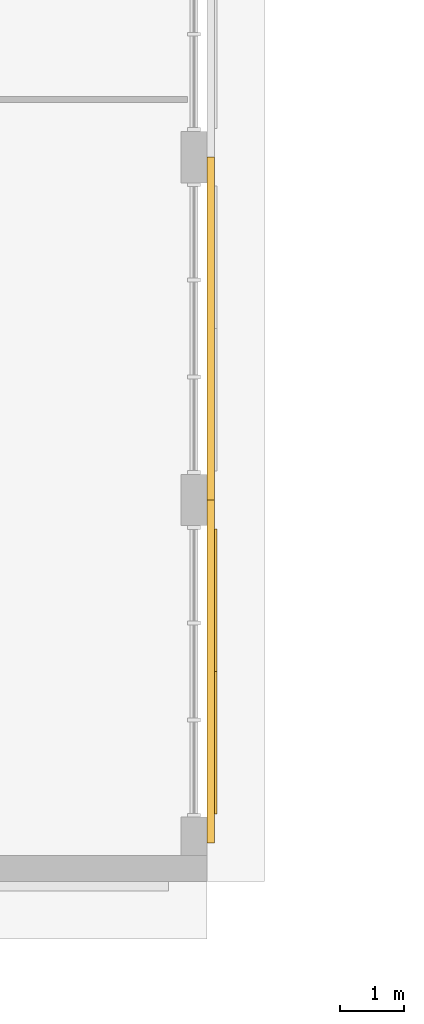
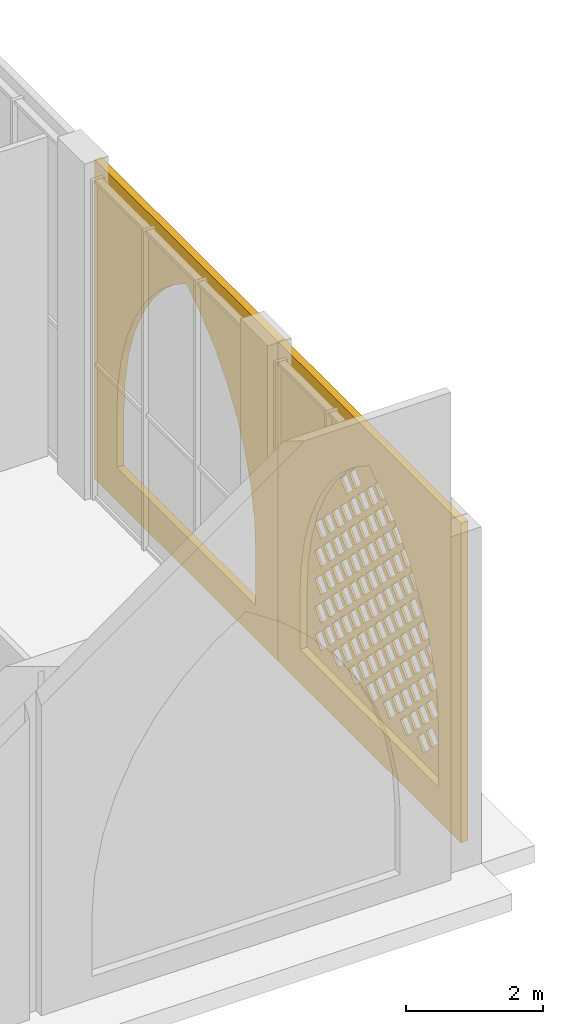
# One storey, part 34 of 74: 3 coverings.
"""IFC4 building model written with IfcOpenShell, lengths in metres."""

from ifc_helpers import new_model, si_unit, direction, frame, origin, place, context, subcontext, project, spatial, polyline, outline, extrude, material, layer, layer_set, type_object, element, save


model = new_model("IFC4")

# Units and contexts
model_context = context("Model", 3, precision=1e-05, world=origin(), true_north=direction((0.0, 1.0)))
body_context = subcontext(model_context, "Body", "Model", "MODEL_VIEW")
ifc_project = project(units=[si_unit("LENGTHUNIT", "METRE"), si_unit("AREAUNIT", "SQUARE_METRE"), si_unit("VOLUMEUNIT", "CUBIC_METRE"), si_unit("PLANEANGLEUNIT", "RADIAN"), si_unit("MASSUNIT", "GRAM", prefix="KILO")], contexts=[model_context])

# Site, building, storey
site_placement = place(None, origin())
site = spatial("IfcSite", under=ifc_project, at=site_placement, CompositionType="ELEMENT")
building_placement = place(site_placement, origin())
building = spatial("IfcBuilding", under=site, at=building_placement, Name="Noorbagh Ring Tower", CompositionType="ELEMENT")
storey_placement = place(building_placement, frame((0.0, 0.0, 13.5)))
storey = spatial("IfcBuildingStorey", under=building, at=storey_placement, Name="L02", CompositionType="ELEMENT", Elevation=13.5)

# Coverings
ifc_material_1 = material(Name="Red sandstone jali", Category="masonry")
ifc_layer_1 = layer(ifc_material_1, 0.0400390625)
ifc_layer_set_1 = layer_set([ifc_layer_1], Name="Red sandstone jali")
covering_type_1 = type_object("IfcCoveringType", Name="STH-JALI", PredefinedType="USERDEFINED", material=ifc_layer_set_1)
covering_1_placement = place(storey_placement, frame((-94.840087890625, -19.949951171875, 0.39990234375), z_axis=(1.0, 0.0, 0.0), x_axis=(0.0, 1.0, 0.0)))
element("IfcCovering", 1, at=covering_1_placement, inside=storey, type_object=covering_type_1, Name="Jali screen", ObjectType="SCREEN", PredefinedType="USERDEFINED", context=body_context, shape_type="SweptSolid", body=[
    extrude(outline(polyline([(0.0, 0.0), (4.449951171875, 0.0), (4.449951171875, 1.0), (4.411865234375, 1.580810546875), (4.29833984375, 2.15185546875), (4.111328125, 2.702880859375), (3.853759765625, 3.22509765625), (3.5302734375, 3.708984375), (3.146484375, 4.146728515625), (2.708984375, 4.530517578125), (2.224853515625, 4.85400390625), (1.740966796875, 4.530517578125), (1.303466796875, 4.146728515625), (0.91943359375, 3.708984375), (0.59619140625, 3.22509765625), (0.338623046875, 2.702880859375), (0.151611328125, 2.15185546875), (0.0380859375, 1.580810546875), (0.0, 1.0), (0.0, 0.0)]), holes=[polyline([(0.669921875, 0.552001953125), (0.85009765625, 0.371826171875), (1.030029296875, 0.552001953125), (0.85009765625, 0.73193359375), (0.669921875, 0.552001953125)]), polyline([(1.169921875, 0.552001953125), (1.35009765625, 0.371826171875), (1.530029296875, 0.552001953125), (1.35009765625, 0.73193359375), (1.169921875, 0.552001953125)]), polyline([(1.669921875, 0.552001953125), (1.85009765625, 0.371826171875), (2.030029296875, 0.552001953125), (1.85009765625, 0.73193359375), (1.669921875, 0.552001953125)]), polyline([(2.169921875, 0.552001953125), (2.35009765625, 0.371826171875), (2.530029296875, 0.552001953125), (2.35009765625, 0.73193359375), (2.169921875, 0.552001953125)]), polyline([(2.669921875, 0.552001953125), (2.85009765625, 0.371826171875), (3.030029296875, 0.552001953125), (2.85009765625, 0.73193359375), (2.669921875, 0.552001953125)]), polyline([(3.169921875, 0.552001953125), (3.35009765625, 0.371826171875), (3.530029296875, 0.552001953125), (3.35009765625, 0.73193359375), (3.169921875, 0.552001953125)]), polyline([(3.669921875, 0.552001953125), (3.85009765625, 0.371826171875), (4.030029296875, 0.552001953125), (3.85009765625, 0.73193359375), (3.669921875, 0.552001953125)]), polyline([(0.419921875, 0.802001953125), (0.60009765625, 0.621826171875), (0.780029296875, 0.802001953125), (0.60009765625, 0.98193359375), (0.419921875, 0.802001953125)]), polyline([(0.919921875, 0.802001953125), (1.10009765625, 0.621826171875), (1.280029296875, 0.802001953125), (1.10009765625, 0.98193359375), (0.919921875, 0.802001953125)]), polyline([(1.419921875, 0.802001953125), (1.60009765625, 0.621826171875), (1.780029296875, 0.802001953125), (1.60009765625, 0.98193359375), (1.419921875, 0.802001953125)]), polyline([(1.919921875, 0.802001953125), (2.10009765625, 0.621826171875), (2.280029296875, 0.802001953125), (2.10009765625, 0.98193359375), (1.919921875, 0.802001953125)]), polyline([(2.419921875, 0.802001953125), (2.60009765625, 0.621826171875), (2.780029296875, 0.802001953125), (2.60009765625, 0.98193359375), (2.419921875, 0.802001953125)]), polyline([(2.919921875, 0.802001953125), (3.10009765625, 0.621826171875), (3.280029296875, 0.802001953125), (3.10009765625, 0.98193359375), (2.919921875, 0.802001953125)]), polyline([(3.419921875, 0.802001953125), (3.60009765625, 0.621826171875), (3.780029296875, 0.802001953125), (3.60009765625, 0.98193359375), (3.419921875, 0.802001953125)]), polyline([(0.669921875, 1.052001953125), (0.85009765625, 0.871826171875), (1.030029296875, 1.052001953125), (0.85009765625, 1.23193359375), (0.669921875, 1.052001953125)]), polyline([(1.169921875, 1.052001953125), (1.35009765625, 0.871826171875), (1.530029296875, 1.052001953125), (1.35009765625, 1.23193359375), (1.169921875, 1.052001953125)]), polyline([(1.669921875, 1.052001953125), (1.85009765625, 0.871826171875), (2.030029296875, 1.052001953125), (1.85009765625, 1.23193359375), (1.669921875, 1.052001953125)]), polyline([(2.169921875, 1.052001953125), (2.35009765625, 0.871826171875), (2.530029296875, 1.052001953125), (2.35009765625, 1.23193359375), (2.169921875, 1.052001953125)]), polyline([(2.669921875, 1.052001953125), (2.85009765625, 0.871826171875), (3.030029296875, 1.052001953125), (2.85009765625, 1.23193359375), (2.669921875, 1.052001953125)]), polyline([(3.169921875, 1.052001953125), (3.35009765625, 0.871826171875), (3.530029296875, 1.052001953125), (3.35009765625, 1.23193359375), (3.169921875, 1.052001953125)]), polyline([(3.669921875, 1.052001953125), (3.85009765625, 0.871826171875), (4.030029296875, 1.052001953125), (3.85009765625, 1.23193359375), (3.669921875, 1.052001953125)]), polyline([(0.419921875, 1.302001953125), (0.60009765625, 1.121826171875), (0.780029296875, 1.302001953125), (0.60009765625, 1.48193359375), (0.419921875, 1.302001953125)]), polyline([(0.919921875, 1.302001953125), (1.10009765625, 1.121826171875), (1.280029296875, 1.302001953125), (1.10009765625, 1.48193359375), (0.919921875, 1.302001953125)]), polyline([(1.419921875, 1.302001953125), (1.60009765625, 1.121826171875), (1.780029296875, 1.302001953125), (1.60009765625, 1.48193359375), (1.419921875, 1.302001953125)]), polyline([(1.919921875, 1.302001953125), (2.10009765625, 1.121826171875), (2.280029296875, 1.302001953125), (2.10009765625, 1.48193359375), (1.919921875, 1.302001953125)]), polyline([(2.419921875, 1.302001953125), (2.60009765625, 1.121826171875), (2.780029296875, 1.302001953125), (2.60009765625, 1.48193359375), (2.419921875, 1.302001953125)]), polyline([(2.919921875, 1.302001953125), (3.10009765625, 1.121826171875), (3.280029296875, 1.302001953125), (3.10009765625, 1.48193359375), (2.919921875, 1.302001953125)]), polyline([(3.419921875, 1.302001953125), (3.60009765625, 1.121826171875), (3.780029296875, 1.302001953125), (3.60009765625, 1.48193359375), (3.419921875, 1.302001953125)]), polyline([(0.669921875, 1.552001953125), (0.85009765625, 1.371826171875), (1.030029296875, 1.552001953125), (0.85009765625, 1.73193359375), (0.669921875, 1.552001953125)]), polyline([(1.169921875, 1.552001953125), (1.35009765625, 1.371826171875), (1.530029296875, 1.552001953125), (1.35009765625, 1.73193359375), (1.169921875, 1.552001953125)]), polyline([(1.669921875, 1.552001953125), (1.85009765625, 1.371826171875), (2.030029296875, 1.552001953125), (1.85009765625, 1.73193359375), (1.669921875, 1.552001953125)]), polyline([(2.169921875, 1.552001953125), (2.35009765625, 1.371826171875), (2.530029296875, 1.552001953125), (2.35009765625, 1.73193359375), (2.169921875, 1.552001953125)]), polyline([(2.669921875, 1.552001953125), (2.85009765625, 1.371826171875), (3.030029296875, 1.552001953125), (2.85009765625, 1.73193359375), (2.669921875, 1.552001953125)]), polyline([(3.169921875, 1.552001953125), (3.35009765625, 1.371826171875), (3.530029296875, 1.552001953125), (3.35009765625, 1.73193359375), (3.169921875, 1.552001953125)]), polyline([(3.669921875, 1.552001953125), (3.85009765625, 1.371826171875), (4.030029296875, 1.552001953125), (3.85009765625, 1.73193359375), (3.669921875, 1.552001953125)]), polyline([(0.419921875, 1.802001953125), (0.60009765625, 1.621826171875), (0.780029296875, 1.802001953125), (0.60009765625, 1.98193359375), (0.419921875, 1.802001953125)]), polyline([(0.919921875, 1.802001953125), (1.10009765625, 1.621826171875), (1.280029296875, 1.802001953125), (1.10009765625, 1.98193359375), (0.919921875, 1.802001953125)]), polyline([(1.419921875, 1.802001953125), (1.60009765625, 1.621826171875), (1.780029296875, 1.802001953125), (1.60009765625, 1.98193359375), (1.419921875, 1.802001953125)]), polyline([(1.919921875, 1.802001953125), (2.10009765625, 1.621826171875), (2.280029296875, 1.802001953125), (2.10009765625, 1.98193359375), (1.919921875, 1.802001953125)]), polyline([(2.419921875, 1.802001953125), (2.60009765625, 1.621826171875), (2.780029296875, 1.802001953125), (2.60009765625, 1.98193359375), (2.419921875, 1.802001953125)]), polyline([(2.919921875, 1.802001953125), (3.10009765625, 1.621826171875), (3.280029296875, 1.802001953125), (3.10009765625, 1.98193359375), (2.919921875, 1.802001953125)]), polyline([(3.419921875, 1.802001953125), (3.60009765625, 1.621826171875), (3.780029296875, 1.802001953125), (3.60009765625, 1.98193359375), (3.419921875, 1.802001953125)]), polyline([(0.669921875, 2.052001953125), (0.85009765625, 1.871826171875), (1.030029296875, 2.052001953125), (0.85009765625, 2.23193359375), (0.669921875, 2.052001953125)]), polyline([(1.169921875, 2.052001953125), (1.35009765625, 1.871826171875), (1.530029296875, 2.052001953125), (1.35009765625, 2.23193359375), (1.169921875, 2.052001953125)]), polyline([(1.669921875, 2.052001953125), (1.85009765625, 1.871826171875), (2.030029296875, 2.052001953125), (1.85009765625, 2.23193359375), (1.669921875, 2.052001953125)]), polyline([(2.169921875, 2.052001953125), (2.35009765625, 1.871826171875), (2.530029296875, 2.052001953125), (2.35009765625, 2.23193359375), (2.169921875, 2.052001953125)]), polyline([(2.669921875, 2.052001953125), (2.85009765625, 1.871826171875), (3.030029296875, 2.052001953125), (2.85009765625, 2.23193359375), (2.669921875, 2.052001953125)]), polyline([(3.169921875, 2.052001953125), (3.35009765625, 1.871826171875), (3.530029296875, 2.052001953125), (3.35009765625, 2.23193359375), (3.169921875, 2.052001953125)]), polyline([(3.669921875, 2.052001953125), (3.85009765625, 1.871826171875), (4.030029296875, 2.052001953125), (3.85009765625, 2.23193359375), (3.669921875, 2.052001953125)]), polyline([(0.419921875, 2.302001953125), (0.60009765625, 2.121826171875), (0.780029296875, 2.302001953125), (0.60009765625, 2.48193359375), (0.419921875, 2.302001953125)]), polyline([(0.919921875, 2.302001953125), (1.10009765625, 2.121826171875), (1.280029296875, 2.302001953125), (1.10009765625, 2.48193359375), (0.919921875, 2.302001953125)]), polyline([(1.419921875, 2.302001953125), (1.60009765625, 2.121826171875), (1.780029296875, 2.302001953125), (1.60009765625, 2.48193359375), (1.419921875, 2.302001953125)]), polyline([(1.919921875, 2.302001953125), (2.10009765625, 2.121826171875), (2.280029296875, 2.302001953125), (2.10009765625, 2.48193359375), (1.919921875, 2.302001953125)]), polyline([(2.419921875, 2.302001953125), (2.60009765625, 2.121826171875), (2.780029296875, 2.302001953125), (2.60009765625, 2.48193359375), (2.419921875, 2.302001953125)]), polyline([(2.919921875, 2.302001953125), (3.10009765625, 2.121826171875), (3.280029296875, 2.302001953125), (3.10009765625, 2.48193359375), (2.919921875, 2.302001953125)]), polyline([(3.419921875, 2.302001953125), (3.60009765625, 2.121826171875), (3.780029296875, 2.302001953125), (3.60009765625, 2.48193359375), (3.419921875, 2.302001953125)]), polyline([(0.669921875, 2.552001953125), (0.85009765625, 2.371826171875), (1.030029296875, 2.552001953125), (0.85009765625, 2.73193359375), (0.669921875, 2.552001953125)]), polyline([(1.169921875, 2.552001953125), (1.35009765625, 2.371826171875), (1.530029296875, 2.552001953125), (1.35009765625, 2.73193359375), (1.169921875, 2.552001953125)]), polyline([(1.669921875, 2.552001953125), (1.85009765625, 2.371826171875), (2.030029296875, 2.552001953125), (1.85009765625, 2.73193359375), (1.669921875, 2.552001953125)]), polyline([(2.169921875, 2.552001953125), (2.35009765625, 2.371826171875), (2.530029296875, 2.552001953125), (2.35009765625, 2.73193359375), (2.169921875, 2.552001953125)]), polyline([(2.669921875, 2.552001953125), (2.85009765625, 2.371826171875), (3.030029296875, 2.552001953125), (2.85009765625, 2.73193359375), (2.669921875, 2.552001953125)]), polyline([(3.169921875, 2.552001953125), (3.35009765625, 2.371826171875), (3.530029296875, 2.552001953125), (3.35009765625, 2.73193359375), (3.169921875, 2.552001953125)]), polyline([(3.669921875, 2.552001953125), (3.85009765625, 2.371826171875), (4.030029296875, 2.552001953125), (3.85009765625, 2.73193359375), (3.669921875, 2.552001953125)]), polyline([(0.919921875, 2.802001953125), (1.10009765625, 2.621826171875), (1.280029296875, 2.802001953125), (1.10009765625, 2.98193359375), (0.919921875, 2.802001953125)]), polyline([(1.419921875, 2.802001953125), (1.60009765625, 2.621826171875), (1.780029296875, 2.802001953125), (1.60009765625, 2.98193359375), (1.419921875, 2.802001953125)]), polyline([(1.919921875, 2.802001953125), (2.10009765625, 2.621826171875), (2.280029296875, 2.802001953125), (2.10009765625, 2.98193359375), (1.919921875, 2.802001953125)]), polyline([(2.419921875, 2.802001953125), (2.60009765625, 2.621826171875), (2.780029296875, 2.802001953125), (2.60009765625, 2.98193359375), (2.419921875, 2.802001953125)]), polyline([(2.919921875, 2.802001953125), (3.10009765625, 2.621826171875), (3.280029296875, 2.802001953125), (3.10009765625, 2.98193359375), (2.919921875, 2.802001953125)]), polyline([(3.419921875, 2.802001953125), (3.60009765625, 2.621826171875), (3.780029296875, 2.802001953125), (3.60009765625, 2.98193359375), (3.419921875, 2.802001953125)]), polyline([(0.669921875, 3.052001953125), (0.85009765625, 2.871826171875), (1.030029296875, 3.052001953125), (0.85009765625, 3.23193359375), (0.669921875, 3.052001953125)]), polyline([(1.169921875, 3.052001953125), (1.35009765625, 2.871826171875), (1.530029296875, 3.052001953125), (1.35009765625, 3.23193359375), (1.169921875, 3.052001953125)]), polyline([(1.669921875, 3.052001953125), (1.85009765625, 2.871826171875), (2.030029296875, 3.052001953125), (1.85009765625, 3.23193359375), (1.669921875, 3.052001953125)]), polyline([(2.169921875, 3.052001953125), (2.35009765625, 2.871826171875), (2.530029296875, 3.052001953125), (2.35009765625, 3.23193359375), (2.169921875, 3.052001953125)]), polyline([(2.669921875, 3.052001953125), (2.85009765625, 2.871826171875), (3.030029296875, 3.052001953125), (2.85009765625, 3.23193359375), (2.669921875, 3.052001953125)]), polyline([(3.169921875, 3.052001953125), (3.35009765625, 2.871826171875), (3.530029296875, 3.052001953125), (3.35009765625, 3.23193359375), (3.169921875, 3.052001953125)]), polyline([(0.919921875, 3.302001953125), (1.10009765625, 3.121826171875), (1.280029296875, 3.302001953125), (1.10009765625, 3.48193359375), (0.919921875, 3.302001953125)]), polyline([(1.419921875, 3.302001953125), (1.60009765625, 3.121826171875), (1.780029296875, 3.302001953125), (1.60009765625, 3.48193359375), (1.419921875, 3.302001953125)]), polyline([(1.919921875, 3.302001953125), (2.10009765625, 3.121826171875), (2.280029296875, 3.302001953125), (2.10009765625, 3.48193359375), (1.919921875, 3.302001953125)]), polyline([(2.419921875, 3.302001953125), (2.60009765625, 3.121826171875), (2.780029296875, 3.302001953125), (2.60009765625, 3.48193359375), (2.419921875, 3.302001953125)]), polyline([(2.919921875, 3.302001953125), (3.10009765625, 3.121826171875), (3.280029296875, 3.302001953125), (3.10009765625, 3.48193359375), (2.919921875, 3.302001953125)]), polyline([(1.169921875, 3.552001953125), (1.35009765625, 3.371826171875), (1.530029296875, 3.552001953125), (1.35009765625, 3.73193359375), (1.169921875, 3.552001953125)]), polyline([(1.669921875, 3.552001953125), (1.85009765625, 3.371826171875), (2.030029296875, 3.552001953125), (1.85009765625, 3.73193359375), (1.669921875, 3.552001953125)]), polyline([(2.169921875, 3.552001953125), (2.35009765625, 3.371826171875), (2.530029296875, 3.552001953125), (2.35009765625, 3.73193359375), (2.169921875, 3.552001953125)]), polyline([(2.669921875, 3.552001953125), (2.85009765625, 3.371826171875), (3.030029296875, 3.552001953125), (2.85009765625, 3.73193359375), (2.669921875, 3.552001953125)]), polyline([(1.419921875, 3.802001953125), (1.60009765625, 3.621826171875), (1.780029296875, 3.802001953125), (1.60009765625, 3.98193359375), (1.419921875, 3.802001953125)]), polyline([(1.919921875, 3.802001953125), (2.10009765625, 3.621826171875), (2.280029296875, 3.802001953125), (2.10009765625, 3.98193359375), (1.919921875, 3.802001953125)]), polyline([(2.419921875, 3.802001953125), (2.60009765625, 3.621826171875), (2.780029296875, 3.802001953125), (2.60009765625, 3.98193359375), (2.419921875, 3.802001953125)]), polyline([(2.919921875, 3.802001953125), (3.10009765625, 3.621826171875), (3.280029296875, 3.802001953125), (3.10009765625, 3.98193359375), (2.919921875, 3.802001953125)]), polyline([(1.669921875, 4.052001953125), (1.85009765625, 3.871826171875), (2.030029296875, 4.052001953125), (1.85009765625, 4.23193359375), (1.669921875, 4.052001953125)]), polyline([(2.169921875, 4.052001953125), (2.35009765625, 3.871826171875), (2.530029296875, 4.052001953125), (2.35009765625, 4.23193359375), (2.169921875, 4.052001953125)]), polyline([(2.669921875, 4.052001953125), (2.85009765625, 3.871826171875), (3.030029296875, 4.052001953125), (2.85009765625, 4.23193359375), (2.669921875, 4.052001953125)]), polyline([(1.919921875, 4.302001953125), (2.10009765625, 4.121826171875), (2.280029296875, 4.302001953125), (2.10009765625, 4.48193359375), (1.919921875, 4.302001953125)])]), origin(), (0.0, 0.0, -1.0), 0.0400390625),
])
ifc_material_2 = material(Name="Red sandstone cladding", Category="masonry")
ifc_layer_2 = layer(ifc_material_2, 0.1201171875)
ifc_layer_set_2 = layer_set([ifc_layer_2], Name="Red sandstone cladding")
covering_type_2 = type_object("IfcCoveringType", Name="STH-SPANDREL", PredefinedType="USERDEFINED", material=ifc_layer_set_2)
covering_2_placement = place(storey_placement, frame((-94.8798828125, -20.39990234375, 0.0), z_axis=(1.0, 0.0, 0.0), x_axis=(0.0, 1.0, 0.0)))
element("IfcCovering", 2, at=covering_2_placement, inside=storey, type_object=covering_type_2, Name="Arch spandrel", ObjectType="ARCH", PredefinedType="USERDEFINED", context=body_context, shape_type="SweptSolid", body=[
    extrude(outline(polyline([(0.0, 0.0), (5.349853515625, 0.0), (5.349853515625, 5.699951171875), (0.0, 5.699951171875), (0.0, 0.0)]), holes=[polyline([(0.64990234375, 0.60009765625), (0.64990234375, 1.60009765625), (0.6845703125, 2.128662109375), (0.7880859375, 2.648193359375), (0.958251953125, 3.14990234375), (1.192626953125, 3.625), (1.48681640625, 4.0654296875), (1.836181640625, 4.4638671875), (2.234619140625, 4.81298828125), (2.675048828125, 5.107421875), (3.115478515625, 4.81298828125), (3.513916015625, 4.4638671875), (3.863037109375, 4.0654296875), (4.157470703125, 3.625), (4.3916015625, 3.14990234375), (4.56201171875, 2.648193359375), (4.665283203125, 2.128662109375), (4.699951171875, 1.60009765625), (4.699951171875, 0.60009765625), (0.64990234375, 0.60009765625)])]), origin(), (0.0, 0.0, -1.0), 0.1201171875),
])
covering_3_placement = place(storey_placement, frame((-94.8798828125, -15.050048828125, 0.0), z_axis=(1.0, 0.0, 0.0), x_axis=(0.0, 1.0, 0.0)))
element("IfcCovering", 3, at=covering_3_placement, inside=storey, type_object=covering_type_2, Name="Arch spandrel", ObjectType="ARCH", PredefinedType="USERDEFINED", context=body_context, shape_type="SweptSolid", body=[
    extrude(outline(polyline([(0.0, 0.0), (5.35009765625, 0.0), (5.35009765625, 5.699951171875), (0.0, 5.699951171875), (0.0, 0.0)]), holes=[polyline([(0.64990234375, 0.60009765625), (0.64990234375, 1.60009765625), (0.6845703125, 2.128662109375), (0.7880859375, 2.648193359375), (0.958251953125, 3.14990234375), (1.192626953125, 3.625), (1.48681640625, 4.0654296875), (1.836181640625, 4.4638671875), (2.234619140625, 4.81298828125), (2.675048828125, 5.107421875), (3.115478515625, 4.81298828125), (3.513916015625, 4.4638671875), (3.863037109375, 4.0654296875), (4.157470703125, 3.625), (4.3916015625, 3.14990234375), (4.56201171875, 2.648193359375), (4.665283203125, 2.128662109375), (4.699951171875, 1.60009765625), (4.699951171875, 0.60009765625), (0.64990234375, 0.60009765625)])]), origin(), (0.0, 0.0, -1.0), 0.1201171875),
])

save(model, "model.ifc")
